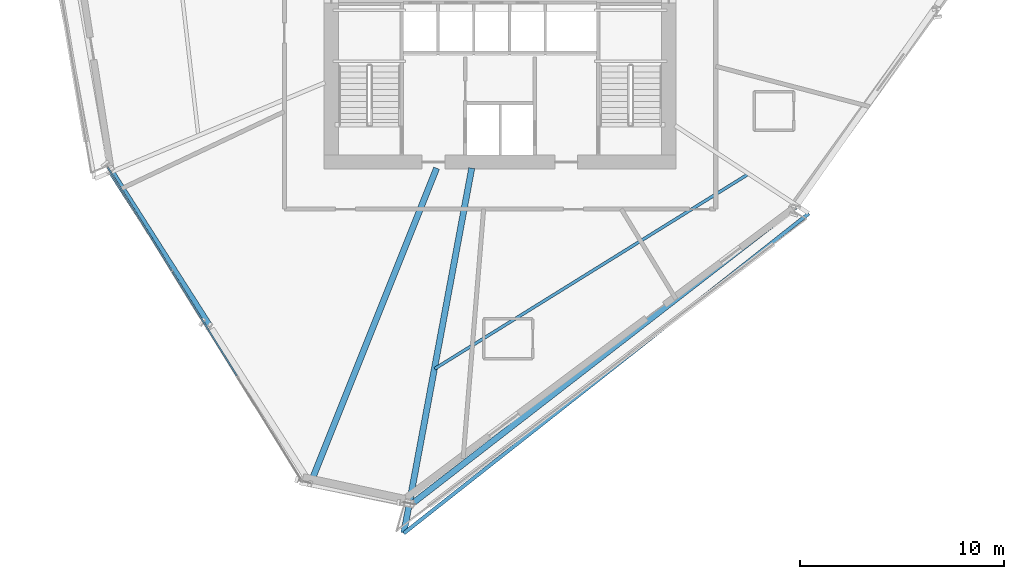
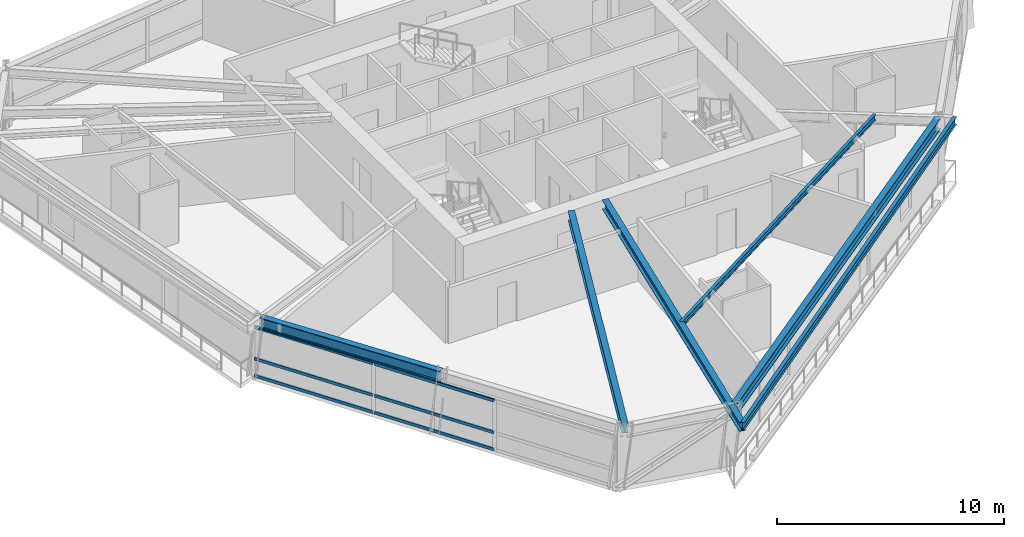
# One storey, part 3 of 18: 6 beams, 6 members, 1 element without a shape of its own.
"""IFC4 building model written with IfcOpenShell, lengths in metres."""

from ifc_helpers import new_model, si_unit, direction, frame, origin, origin_2d, place, context, subcontext, project, spatial, hollow_rectangle, i_section, extrude, source, transform, mapped, material, material_profile, profile_set, type_object, element, aggregate, save


model = new_model("IFC4")

# Units and contexts
model_context = context("Model", 3, precision=1e-05, world=origin(), true_north=direction((0.0, 1.0)))
body_context = subcontext(model_context, "Body", "Model", "MODEL_VIEW")
ifc_project = project(units=[si_unit("LENGTHUNIT", "METRE"), si_unit("AREAUNIT", "SQUARE_METRE"), si_unit("VOLUMEUNIT", "CUBIC_METRE"), si_unit("PLANEANGLEUNIT", "RADIAN"), si_unit("MASSUNIT", "GRAM", prefix="KILO")], contexts=[model_context])

# Site, building, storey
site_placement = place(None, origin())
site = spatial("IfcSite", under=ifc_project, at=site_placement, CompositionType="ELEMENT")
building_placement = place(site_placement, origin())
building = spatial("IfcBuilding", under=site, at=building_placement, Name="Olszyna Solenne Hotel", CompositionType="ELEMENT")
storey_placement = place(building_placement, frame((0.0, 0.0, 123.449951171875)))
storey = spatial("IfcBuildingStorey", under=building, at=storey_placement, Name="L32", CompositionType="ELEMENT", Elevation=123.449951171875)

# Beams
ifc_material_1 = material(Name="Steel S355J2", Category="steel")
ifc_material_profile_1 = material_profile(ifc_material_1, i_section(OverallWidth=0.300048828125, OverallDepth=0.60009765625, WebThickness=0.015380859375, FlangeThickness=0.030029296875, at=origin_2d()), Name="HEB 600", Category="load-bearing")
ifc_profile_set_1 = profile_set([ifc_material_profile_1], Name="Steel S355J2")
beam_type_1 = type_object("IfcBeamType", Name="BM-S2", PredefinedType="BEAM", material=ifc_profile_set_1)
shared_shape_1 = source(origin(), body_context, "Body", "SweptSolid", [
    extrude(i_section(OverallWidth=0.300048828125, OverallDepth=0.60009765625, WebThickness=0.015380859375, FlangeThickness=0.030029296875, at=origin_2d()), origin(), (0.0, 0.0, 1.0), 8.930419921875),
])
beam_1_placement = place(storey_placement, frame((19.02490234375, 18.6240234375, 3.0), z_axis=(0.537690728376, -0.843142147338, 0.0), x_axis=(0.843142147338, 0.537690728376, 0.0)))
element("IfcBeam", 1, at=beam_1_placement, inside=storey, type_object=beam_type_1, Name="Perimeter spandrel beam BM-S2 B-L32-0963", PredefinedType="BEAM", context=body_context, shape_type="MappedRepresentation", body=[
    mapped(shared_shape_1, transform((0.0, 0.0, 0.0), x_axis=(1.0, 0.0, 0.0), y_axis=(0.0, 1.0, 0.0), z_axis=(0.0, 0.0, 1.0), scale=1.0)),
])
shared_shape_2 = source(origin(), body_context, "Body", "SweptSolid", [
    extrude(i_section(OverallWidth=0.300048828125, OverallDepth=0.60009765625, WebThickness=0.015380859375, FlangeThickness=0.030029296875, at=origin_2d()), origin(), (0.0, 0.0, 1.0), 23.670166015625),
])
beam_2_placement = place(storey_placement, frame((33.734619140625, 2.46728515625, 3.0), z_axis=(0.790219495387, 0.612823913625, 0.0), x_axis=(-0.612823913625, 0.790219495387, 0.0)))
element("IfcBeam", 2, at=beam_2_placement, inside=storey, type_object=beam_type_1, Name="Perimeter spandrel beam BM-S2 B-L32-0966", PredefinedType="BEAM", context=body_context, shape_type="MappedRepresentation", body=[
    mapped(shared_shape_2, transform((0.0, 0.0, 0.0), x_axis=(1.0, 0.0, 0.0), y_axis=(0.0, 1.0, 0.0), z_axis=(0.0, 0.0, 1.0), scale=1.0)),
])
ifc_material_profile_2 = material_profile(ifc_material_1, i_section(OverallWidth=0.300048828125, OverallDepth=0.489990234375, WebThickness=0.011962890625, FlangeThickness=0.02294921875, at=origin_2d()), Name="HEA 500", Category="load-bearing")
ifc_profile_set_2 = profile_set([ifc_material_profile_2], Name="Steel S355J2")
beam_type_2 = type_object("IfcBeamType", Name="BM-G1", PredefinedType="BEAM", material=ifc_profile_set_2)
shared_shape_3 = source(origin(), body_context, "Body", "SweptSolid", [
    extrude(i_section(OverallWidth=0.300048828125, OverallDepth=0.489990234375, WebThickness=0.011962890625, FlangeThickness=0.02294921875, at=origin_2d()), origin(), (0.0, 0.0, 1.0), 16.5625),
])
beam_3_placement = place(storey_placement, frame((28.747802734375, 3.468505859375, 3.054931640625), z_axis=(0.371375427377, 0.928482790331, 0.0), x_axis=(-0.928482790331, 0.371375427377, 0.0)))
element("IfcBeam", 3, at=beam_3_placement, inside=storey, type_object=beam_type_2, Name="Radial floor girder BM-G1 B-L32-0975", PredefinedType="BEAM", context=body_context, shape_type="MappedRepresentation", body=[
    mapped(shared_shape_3, transform((0.0, 0.0, 0.0), x_axis=(1.0, 0.0, 0.0), y_axis=(0.0, 1.0, 0.0), z_axis=(0.0, 0.0, 1.0), scale=1.0)),
])
shared_shape_4 = source(origin(), body_context, "Body", "SweptSolid", [
    extrude(i_section(OverallWidth=0.300048828125, OverallDepth=0.489990234375, WebThickness=0.011962890625, FlangeThickness=0.02294921875, at=origin_2d()), origin(), (0.0, 0.0, 1.0), 18.145263671875),
])
beam_4_placement = place(storey_placement, frame((33.2958984375, 1.01025390625, 3.054931640625), z_axis=(0.183024351199, 0.983108380021, 0.0), x_axis=(-0.983108380021, 0.183024351199, 0.0)))
element("IfcBeam", 4, at=beam_4_placement, inside=storey, type_object=beam_type_2, Name="Radial floor girder BM-G1 B-L32-0976", PredefinedType="BEAM", context=body_context, shape_type="MappedRepresentation", body=[
    mapped(shared_shape_4, transform((0.0, 0.0, 0.0), x_axis=(1.0, 0.0, 0.0), y_axis=(0.0, 1.0, 0.0), z_axis=(0.0, 0.0, 1.0), scale=1.0)),
])
ifc_material_profile_3 = material_profile(ifc_material_1, i_section(OverallWidth=0.14990234375, OverallDepth=0.300048828125, WebThickness=0.007080078125, FlangeThickness=0.0107421875, at=origin_2d()), Name="IPE 300", Category="load-bearing")
ifc_profile_set_3 = profile_set([ifc_material_profile_3], Name="Steel S355J2")
beam_type_3 = type_object("IfcBeamType", Name="JS-02", PredefinedType="JOIST", material=ifc_profile_set_3)
shared_shape_5 = source(origin(), body_context, "Body", "SweptSolid", [
    extrude(i_section(OverallWidth=0.14990234375, OverallDepth=0.300048828125, WebThickness=0.007080078125, FlangeThickness=0.0107421875, at=origin_2d()), origin(), (0.0, 0.0, 1.0), 18.054443359375),
])
beam_5_placement = place(storey_placement, frame((34.805419921875, 9.037353515625, 3.150146484375), z_axis=(0.849589809983, 0.527443982593, 0.0), x_axis=(-0.527443982593, 0.849589809983, 0.0)))
element("IfcBeam", 5, at=beam_5_placement, inside=storey, type_object=beam_type_3, Name="Secondary composite floor joist JS-02 B-L32-0983", PredefinedType="JOIST", context=body_context, shape_type="MappedRepresentation", body=[
    mapped(shared_shape_5, transform((0.0, 0.0, 0.0), x_axis=(1.0, 0.0, 0.0), y_axis=(0.0, 1.0, 0.0), z_axis=(0.0, 0.0, 1.0), scale=1.0)),
])
ifc_material_profile_4 = material_profile(ifc_material_1, i_section(OverallWidth=0.179931640625, OverallDepth=0.39990234375, WebThickness=0.008544921875, FlangeThickness=0.013427734375, at=origin_2d()), Name="IPE 400", Category="load-bearing")
ifc_profile_set_4 = profile_set([ifc_material_profile_4], Name="Steel S355J2")
beam_type_4 = type_object("IfcBeamType", Name="BM-F5", PredefinedType="BEAM", material=ifc_profile_set_4)
shared_shape_6 = source(origin(), body_context, "Body", "SweptSolid", [
    extrude(i_section(OverallWidth=0.179931640625, OverallDepth=0.39990234375, WebThickness=0.008544921875, FlangeThickness=0.013427734375, at=origin_2d()), origin(), (0.0, 0.0, 1.0), 25.2490234375),
])
beam_6_placement = place(storey_placement, frame((33.292236328125, 0.990478515625, 3.10009765625), z_axis=(0.784857271572, 0.619676579564, 0.0), x_axis=(-0.619676579564, 0.784857271572, 0.0)))
element("IfcBeam", 6, at=beam_6_placement, inside=storey, type_object=beam_type_4, Name="Loggia outer edge beam BM-F5 B-L32-0986", PredefinedType="BEAM", context=body_context, shape_type="MappedRepresentation", body=[
    mapped(shared_shape_6, transform((0.0, 0.0, 0.0), x_axis=(1.0, 0.0, 0.0), y_axis=(0.0, 1.0, 0.0), z_axis=(0.0, 0.0, 1.0), scale=1.0)),
])

# Curtain wall, members
ifc_material_2 = material(Name="Anodised bronze aluminium", Category="aluminium")
curtain_wall_type = type_object("IfcCurtainWallType", Name="CW-SYS-3", PredefinedType="NOTDEFINED", material=ifc_material_2)
curtain_wall_placement = place(storey_placement, origin())
curtain_wall = element("IfcCurtainWall", 7, at=curtain_wall_placement, inside=storey, type_object=curtain_wall_type, Name="Unitised curtain wall CW-SYS-3 CW-L32-01", PredefinedType="NOTDEFINED")
ifc_material_profile_5 = material_profile(ifc_material_2, hollow_rectangle(XDim=0.074951171875, YDim=0.159912109375, WallThickness=0.00390625, at=origin_2d()), Name="TRAN 160x75x4", Category="load-bearing")
ifc_profile_set_5 = profile_set([ifc_material_profile_5], Name="Anodised bronze aluminium")
member_type = type_object("IfcMemberType", Name="CW-T1", PredefinedType="USERDEFINED", material=ifc_profile_set_5)
shared_shape_7 = source(origin(), body_context, "Body", "SweptSolid", [
    extrude(hollow_rectangle(XDim=0.074951171875, YDim=0.159912109375, WallThickness=0.00390625, at=origin_2d()), origin(), (0.0, 0.0, 1.0), 5.927734375),
])
member_1_placement = place(storey_placement, frame((18.822021484375, 18.87646484375, 0.03759765625), z_axis=(0.526599883718, -0.850113264494, 0.0), x_axis=(0.850113264494, 0.526599883718, 0.0)))
member_1 = element("IfcMember", 8, at=member_1_placement, type_object=member_type, Name="Curtain-wall transom CW-T1 CT-L32-01-01", ObjectType="TRANSOM", PredefinedType="USERDEFINED", context=body_context, shape_type="MappedRepresentation", body=[
    mapped(shared_shape_7, transform((0.0, 0.0, 0.0), x_axis=(1.0, 0.0, 0.0), y_axis=(0.0, 1.0, 0.0), z_axis=(0.0, 0.0, 1.0), scale=1.0)),
])
member_2_placement = place(storey_placement, frame((18.822021484375, 18.87646484375, 0.949951171875), z_axis=(0.526599883718, -0.850113264494, 0.0), x_axis=(0.850113264494, 0.526599883718, 0.0)))
member_2 = element("IfcMember", 9, at=member_2_placement, type_object=member_type, Name="Curtain-wall transom CW-T1 CT-L32-01-02", ObjectType="TRANSOM", PredefinedType="USERDEFINED", context=body_context, shape_type="MappedRepresentation", body=[
    mapped(shared_shape_7, transform((0.0, 0.0, 0.0), x_axis=(1.0, 0.0, 0.0), y_axis=(0.0, 1.0, 0.0), z_axis=(0.0, 0.0, 1.0), scale=1.0)),
])
member_3_placement = place(storey_placement, frame((18.822021484375, 18.87646484375, 2.654541015625), z_axis=(0.526599883718, -0.850113264494, 0.0), x_axis=(0.850113264494, 0.526599883718, 0.0)))
member_3 = element("IfcMember", 10, at=member_3_placement, type_object=member_type, Name="Curtain-wall transom CW-T1 CT-L32-01-03", ObjectType="TRANSOM", PredefinedType="USERDEFINED", context=body_context, shape_type="MappedRepresentation", body=[
    mapped(shared_shape_7, transform((0.0, 0.0, 0.0), x_axis=(1.0, 0.0, 0.0), y_axis=(0.0, 1.0, 0.0), z_axis=(0.0, 0.0, 1.0), scale=1.0)),
])
shared_shape_8 = source(origin(), body_context, "Body", "SweptSolid", [
    extrude(hollow_rectangle(XDim=0.074951171875, YDim=0.159912109375, WallThickness=0.00390625, at=origin_2d()), origin(), (0.0, 0.0, 1.0), 5.96533203125),
])
member_4_placement = place(storey_placement, frame((21.983154296875, 13.7734375, 0.03759765625), z_axis=(0.526595520462, -0.850115967283, 0.0), x_axis=(0.850115967283, 0.526595520462, 0.0)))
member_4 = element("IfcMember", 11, at=member_4_placement, type_object=member_type, Name="Curtain-wall transom CW-T1 CT-L32-01-04", ObjectType="TRANSOM", PredefinedType="USERDEFINED", context=body_context, shape_type="MappedRepresentation", body=[
    mapped(shared_shape_8, transform((0.0, 0.0, 0.0), x_axis=(1.0, 0.0, 0.0), y_axis=(0.0, 1.0, 0.0), z_axis=(0.0, 0.0, 1.0), scale=1.0)),
])
member_5_placement = place(storey_placement, frame((21.983154296875, 13.7734375, 0.949951171875), z_axis=(0.526595520462, -0.850115967283, 0.0), x_axis=(0.850115967283, 0.526595520462, 0.0)))
member_5 = element("IfcMember", 12, at=member_5_placement, type_object=member_type, Name="Curtain-wall transom CW-T1 CT-L32-01-05", ObjectType="TRANSOM", PredefinedType="USERDEFINED", context=body_context, shape_type="MappedRepresentation", body=[
    mapped(shared_shape_8, transform((0.0, 0.0, 0.0), x_axis=(1.0, 0.0, 0.0), y_axis=(0.0, 1.0, 0.0), z_axis=(0.0, 0.0, 1.0), scale=1.0)),
])
member_6_placement = place(storey_placement, frame((21.983154296875, 13.7734375, 2.654541015625), z_axis=(0.526595520462, -0.850115967283, 0.0), x_axis=(0.850115967283, 0.526595520462, 0.0)))
member_6 = element("IfcMember", 13, at=member_6_placement, type_object=member_type, Name="Curtain-wall transom CW-T1 CT-L32-01-06", ObjectType="TRANSOM", PredefinedType="USERDEFINED", context=body_context, shape_type="MappedRepresentation", body=[
    mapped(shared_shape_8, transform((0.0, 0.0, 0.0), x_axis=(1.0, 0.0, 0.0), y_axis=(0.0, 1.0, 0.0), z_axis=(0.0, 0.0, 1.0), scale=1.0)),
])
aggregate(curtain_wall, [member_1, member_2, member_3, member_4, member_5, member_6])

save(model, "model.ifc")
